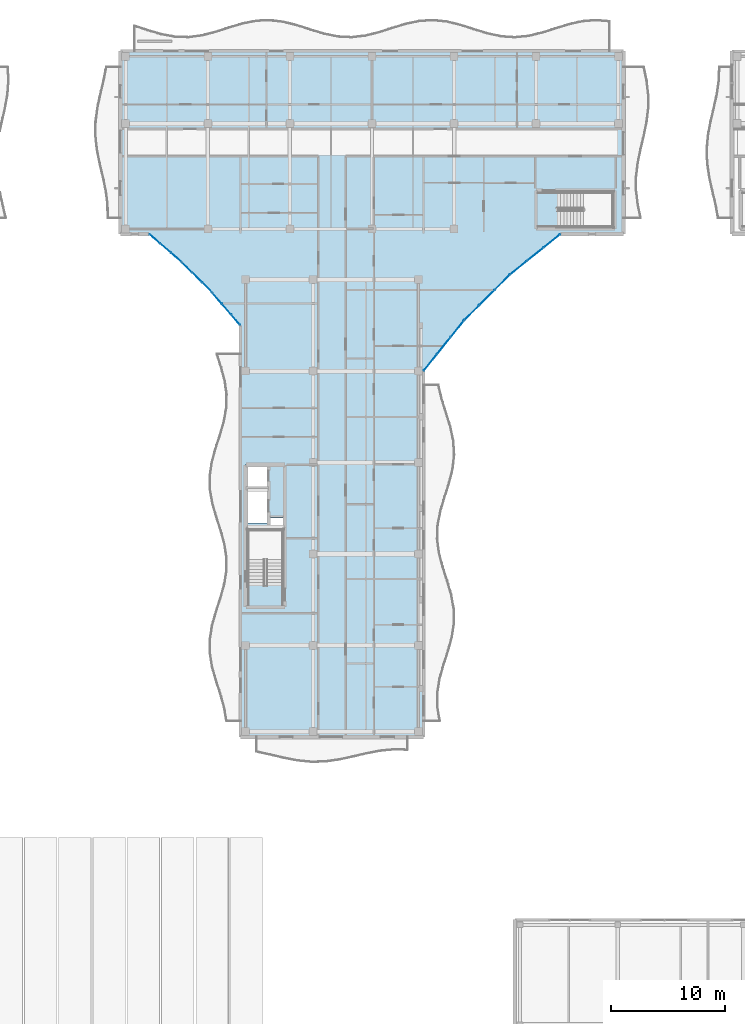
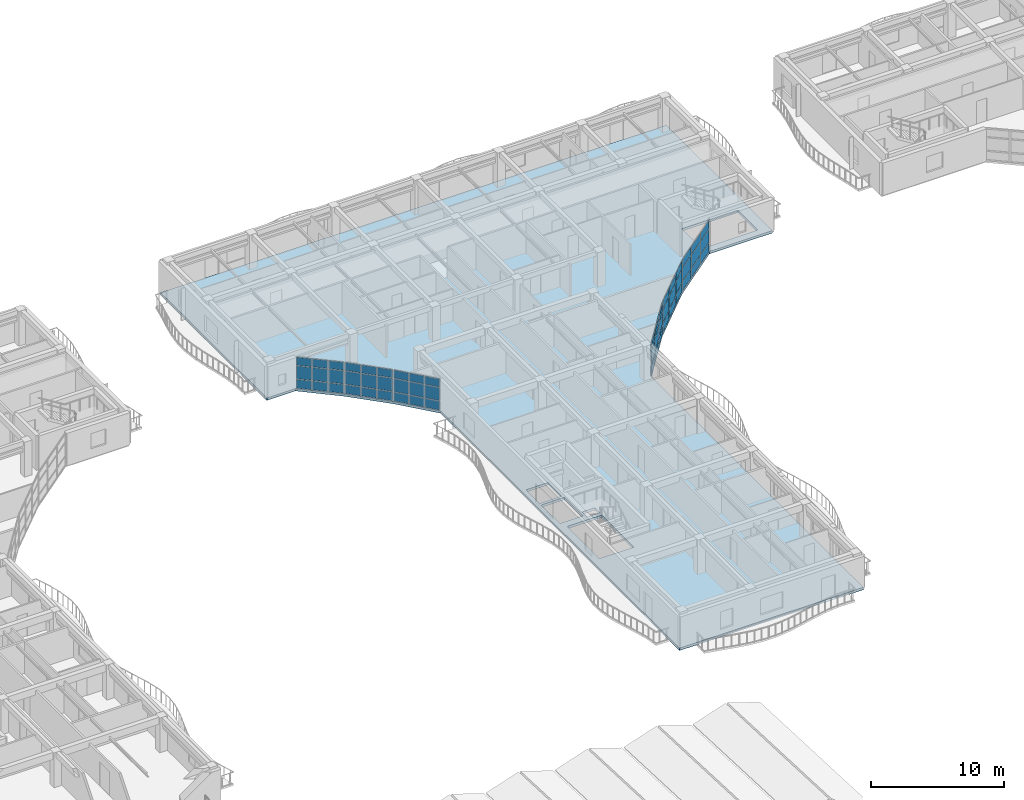
# One storey, part 41 of 89: 54 plates, 1 slab, 6 elements without a shape of their own.
"""IFC4 building model written with IfcOpenShell, lengths in metres."""

from ifc_helpers import new_model, si_unit, direction, frame, origin, origin_2d, place, context, subcontext, project, spatial, polyline, rectangle, outline, extrude, material, layer, layer_set, type_object, element, aggregate, save


model = new_model("IFC4")

# Units and contexts
model_context = context("Model", 3, precision=1e-05, world=origin(), true_north=direction((0.0, 1.0)))
body_context = subcontext(model_context, "Body", "Model", "MODEL_VIEW")
ifc_project = project(units=[si_unit("LENGTHUNIT", "METRE"), si_unit("AREAUNIT", "SQUARE_METRE"), si_unit("VOLUMEUNIT", "CUBIC_METRE"), si_unit("PLANEANGLEUNIT", "RADIAN"), si_unit("MASSUNIT", "GRAM", prefix="KILO")], contexts=[model_context])

# Site, building, storey
site_placement = place(None, origin())
site = spatial("IfcSite", under=ifc_project, at=site_placement, CompositionType="ELEMENT")
building_placement = place(site_placement, origin())
building = spatial("IfcBuilding", under=site, at=building_placement, Name="Keldmere Railside Commons", CompositionType="ELEMENT")
storey_placement = place(building_placement, frame((0.0, 0.0, 7.360107421875)))
storey = spatial("IfcBuildingStorey", under=building, at=storey_placement, Name="L02", CompositionType="ELEMENT", Elevation=7.360107421875)

# Curtain wall, plates
ifc_material_1 = material(Name="Thermally Broken Aluminium", Category="aluminium")
ifc_layer_1 = layer(ifc_material_1, 0.159912109375, Name="Court Chord Wintergarden CW 4800x2850")
ifc_layer_set_1 = layer_set([ifc_layer_1], Name="Thermally Broken Aluminium")
curtain_wall_type_1 = type_object("IfcCurtainWallType", Name="Court Chord Wintergarden CW 4800x2850", PredefinedType="NOTDEFINED", material=ifc_layer_set_1)
curtain_wall_1_placement = place(storey_placement, origin())
curtain_wall_1 = element("IfcCurtainWall", 1, at=curtain_wall_1_placement, inside=storey, type_object=curtain_wall_type_1, Name="CW-12 CW-L02-097", PredefinedType="NOTDEFINED")
ifc_material_2 = material(Name="Low-E Insulated Double Glazing", Category="glass")
ifc_layer_2 = layer(ifc_material_2, 0.033935546875, Name="Acoustic Laminated Vision Panel 34")
ifc_layer_set_2 = layer_set([ifc_layer_2], Name="Low-E Insulated Double Glazing")
plate_type_1 = type_object("IfcPlateType", Name="Acoustic Laminated Vision Panel 34", PredefinedType="CURTAIN_PANEL", material=ifc_layer_set_2)
plate_1_placement = place(storey_placement, frame((122.951416015625, 91.678955078125, 0.06494140625), z_axis=(0.0, 0.0, 1.0), x_axis=(-0.625768080915, -0.780009172323, 0.0)))
plate_1 = element("IfcPlate", 2, at=plate_1_placement, type_object=plate_type_1, Name="CW-12 panel 1.1", PredefinedType="CURTAIN_PANEL", context=body_context, shape_type="SweptSolid", body=[
    extrude(rectangle(XDim=1.795654296875, YDim=0.033935546875, at=origin_2d()), origin(), (0.0, 0.0, 1.0), 0.802490234375),
])
plate_2_placement = place(storey_placement, frame((122.951416015625, 91.678955078125, 0.932373046875), z_axis=(0.0, 0.0, 1.0), x_axis=(-0.625768080915, -0.780009172323, 0.0)))
plate_2 = element("IfcPlate", 3, at=plate_2_placement, type_object=plate_type_1, Name="CW-12 panel 1.2", PredefinedType="CURTAIN_PANEL", context=body_context, shape_type="SweptSolid", body=[
    extrude(rectangle(XDim=1.795654296875, YDim=0.033935546875, at=origin_2d()), origin(), (0.0, 0.0, 1.0), 1.18505859375),
])
plate_3_placement = place(storey_placement, frame((122.951416015625, 91.678955078125, 2.182373046875), z_axis=(0.0, 0.0, 1.0), x_axis=(-0.625768080915, -0.780009172323, 0.0)))
plate_3 = element("IfcPlate", 4, at=plate_3_placement, type_object=plate_type_1, Name="CW-12 panel 1.3", PredefinedType="CURTAIN_PANEL", context=body_context, shape_type="SweptSolid", body=[
    extrude(rectangle(XDim=1.795654296875, YDim=0.033935546875, at=origin_2d()), origin(), (0.0, 0.0, 1.0), 0.732421875),
])
plate_4_placement = place(storey_placement, frame((121.777099609375, 90.215087890625, 0.06494140625), z_axis=(0.0, 0.0, 1.0), x_axis=(-0.625768080915, -0.780009172323, 0.0)))
plate_4 = element("IfcPlate", 5, at=plate_4_placement, type_object=plate_type_1, Name="CW-12 panel 2.1", PredefinedType="CURTAIN_PANEL", context=body_context, shape_type="SweptSolid", body=[
    extrude(rectangle(XDim=1.828125, YDim=0.033935546875, at=origin_2d()), origin(), (0.0, 0.0, 1.0), 0.802490234375),
])
plate_5_placement = place(storey_placement, frame((121.777099609375, 90.215087890625, 0.932373046875), z_axis=(0.0, 0.0, 1.0), x_axis=(-0.625768080915, -0.780009172323, 0.0)))
plate_5 = element("IfcPlate", 6, at=plate_5_placement, type_object=plate_type_1, Name="CW-12 panel 2.2", PredefinedType="CURTAIN_PANEL", context=body_context, shape_type="SweptSolid", body=[
    extrude(rectangle(XDim=1.828125, YDim=0.033935546875, at=origin_2d()), origin(), (0.0, 0.0, 1.0), 1.18505859375),
])
plate_6_placement = place(storey_placement, frame((121.777099609375, 90.215087890625, 2.182373046875), z_axis=(0.0, 0.0, 1.0), x_axis=(-0.625768080915, -0.780009172323, 0.0)))
plate_6 = element("IfcPlate", 7, at=plate_6_placement, type_object=plate_type_1, Name="CW-12 panel 2.3", PredefinedType="CURTAIN_PANEL", context=body_context, shape_type="SweptSolid", body=[
    extrude(rectangle(XDim=1.828125, YDim=0.033935546875, at=origin_2d()), origin(), (0.0, 0.0, 1.0), 0.732421875),
])
plate_7_placement = place(storey_placement, frame((120.6025390625, 88.7509765625, 0.06494140625), z_axis=(0.0, 0.0, 1.0), x_axis=(-0.625768080915, -0.780009172323, 0.0)))
plate_7 = element("IfcPlate", 8, at=plate_7_placement, type_object=plate_type_1, Name="CW-12 panel 3.1", PredefinedType="CURTAIN_PANEL", context=body_context, shape_type="SweptSolid", body=[
    extrude(rectangle(XDim=1.795654296875, YDim=0.033935546875, at=origin_2d()), origin(), (0.0, 0.0, 1.0), 0.802490234375),
])
plate_8_placement = place(storey_placement, frame((120.6025390625, 88.7509765625, 0.932373046875), z_axis=(0.0, 0.0, 1.0), x_axis=(-0.625768080915, -0.780009172323, 0.0)))
plate_8 = element("IfcPlate", 9, at=plate_8_placement, type_object=plate_type_1, Name="CW-12 panel 3.2", PredefinedType="CURTAIN_PANEL", context=body_context, shape_type="SweptSolid", body=[
    extrude(rectangle(XDim=1.795654296875, YDim=0.033935546875, at=origin_2d()), origin(), (0.0, 0.0, 1.0), 1.18505859375),
])
plate_9_placement = place(storey_placement, frame((120.6025390625, 88.7509765625, 2.182373046875), z_axis=(0.0, 0.0, 1.0), x_axis=(-0.625768080915, -0.780009172323, 0.0)))
plate_9 = element("IfcPlate", 10, at=plate_9_placement, type_object=plate_type_1, Name="CW-12 panel 3.3", PredefinedType="CURTAIN_PANEL", context=body_context, shape_type="SweptSolid", body=[
    extrude(rectangle(XDim=1.795654296875, YDim=0.033935546875, at=origin_2d()), origin(), (0.0, 0.0, 1.0), 0.732421875),
])
aggregate(curtain_wall_1, [plate_1, plate_2, plate_3, plate_4, plate_5, plate_6, plate_7, plate_8, plate_9])

curtain_wall_2_placement = place(storey_placement, origin())
curtain_wall_2 = element("IfcCurtainWall", 11, at=curtain_wall_2_placement, inside=storey, type_object=curtain_wall_type_1, Name="CW-12 CW-L02-100", PredefinedType="NOTDEFINED")
plate_10_placement = place(storey_placement, frame((98.369384765625, 97.952392578125, 0.06494140625), z_axis=(0.0, 0.0, 1.0), x_axis=(-0.756596767584, 0.653881741053, 0.0)))
plate_10 = element("IfcPlate", 12, at=plate_10_placement, type_object=plate_type_1, Name="CW-12 panel 1.1", PredefinedType="CURTAIN_PANEL", context=body_context, shape_type="SweptSolid", body=[
    extrude(rectangle(XDim=1.16162109375, YDim=0.033935546875, at=origin_2d()), origin(), (0.0, 0.0, 1.0), 0.802490234375),
])
plate_11_placement = place(storey_placement, frame((98.369384765625, 97.952392578125, 0.932373046875), z_axis=(0.0, 0.0, 1.0), x_axis=(-0.756596767584, 0.653881741053, 0.0)))
plate_11 = element("IfcPlate", 13, at=plate_11_placement, type_object=plate_type_1, Name="CW-12 panel 1.2", PredefinedType="CURTAIN_PANEL", context=body_context, shape_type="SweptSolid", body=[
    extrude(rectangle(XDim=1.16162109375, YDim=0.033935546875, at=origin_2d()), origin(), (0.0, 0.0, 1.0), 1.18505859375),
])
plate_12_placement = place(storey_placement, frame((98.369384765625, 97.952392578125, 2.182373046875), z_axis=(0.0, 0.0, 1.0), x_axis=(-0.756596767584, 0.653881741053, 0.0)))
plate_12 = element("IfcPlate", 14, at=plate_12_placement, type_object=plate_type_1, Name="CW-12 panel 1.3", PredefinedType="CURTAIN_PANEL", context=body_context, shape_type="SweptSolid", body=[
    extrude(rectangle(XDim=1.16162109375, YDim=0.033935546875, at=origin_2d()), origin(), (0.0, 0.0, 1.0), 0.732421875),
])
plate_13_placement = place(storey_placement, frame((97.428955078125, 98.764892578125, 0.06494140625), z_axis=(0.0, 0.0, 1.0), x_axis=(-0.756596767584, 0.653881741053, 0.0)))
plate_13 = element("IfcPlate", 15, at=plate_13_placement, type_object=plate_type_1, Name="CW-12 panel 2.1", PredefinedType="CURTAIN_PANEL", context=body_context, shape_type="SweptSolid", body=[
    extrude(rectangle(XDim=1.194091796875, YDim=0.033935546875, at=origin_2d()), origin(), (0.0, 0.0, 1.0), 0.802490234375),
])
plate_14_placement = place(storey_placement, frame((97.428955078125, 98.764892578125, 0.932373046875), z_axis=(0.0, 0.0, 1.0), x_axis=(-0.756596767584, 0.653881741053, 0.0)))
plate_14 = element("IfcPlate", 16, at=plate_14_placement, type_object=plate_type_1, Name="CW-12 panel 2.2", PredefinedType="CURTAIN_PANEL", context=body_context, shape_type="SweptSolid", body=[
    extrude(rectangle(XDim=1.194091796875, YDim=0.033935546875, at=origin_2d()), origin(), (0.0, 0.0, 1.0), 1.18505859375),
])
plate_15_placement = place(storey_placement, frame((97.428955078125, 98.764892578125, 2.182373046875), z_axis=(0.0, 0.0, 1.0), x_axis=(-0.756596767584, 0.653881741053, 0.0)))
plate_15 = element("IfcPlate", 17, at=plate_15_placement, type_object=plate_type_1, Name="CW-12 panel 2.3", PredefinedType="CURTAIN_PANEL", context=body_context, shape_type="SweptSolid", body=[
    extrude(rectangle(XDim=1.194091796875, YDim=0.033935546875, at=origin_2d()), origin(), (0.0, 0.0, 1.0), 0.732421875),
])
plate_16_placement = place(storey_placement, frame((96.488525390625, 99.57763671875, 0.06494140625), z_axis=(0.0, 0.0, 1.0), x_axis=(-0.756596767584, 0.653881741053, 0.0)))
plate_16 = element("IfcPlate", 18, at=plate_16_placement, type_object=plate_type_1, Name="CW-12 panel 3.1", PredefinedType="CURTAIN_PANEL", context=body_context, shape_type="SweptSolid", body=[
    extrude(rectangle(XDim=1.16162109375, YDim=0.033935546875, at=origin_2d()), origin(), (0.0, 0.0, 1.0), 0.802490234375),
])
plate_17_placement = place(storey_placement, frame((96.488525390625, 99.57763671875, 0.932373046875), z_axis=(0.0, 0.0, 1.0), x_axis=(-0.756596767584, 0.653881741053, 0.0)))
plate_17 = element("IfcPlate", 19, at=plate_17_placement, type_object=plate_type_1, Name="CW-12 panel 3.2", PredefinedType="CURTAIN_PANEL", context=body_context, shape_type="SweptSolid", body=[
    extrude(rectangle(XDim=1.16162109375, YDim=0.033935546875, at=origin_2d()), origin(), (0.0, 0.0, 1.0), 1.18505859375),
])
plate_18_placement = place(storey_placement, frame((96.488525390625, 99.57763671875, 2.182373046875), z_axis=(0.0, 0.0, 1.0), x_axis=(-0.756596767584, 0.653881741053, 0.0)))
plate_18 = element("IfcPlate", 20, at=plate_18_placement, type_object=plate_type_1, Name="CW-12 panel 3.3", PredefinedType="CURTAIN_PANEL", context=body_context, shape_type="SweptSolid", body=[
    extrude(rectangle(XDim=1.16162109375, YDim=0.033935546875, at=origin_2d()), origin(), (0.0, 0.0, 1.0), 0.732421875),
])
aggregate(curtain_wall_2, [plate_10, plate_11, plate_12, plate_13, plate_14, plate_15, plate_16, plate_17, plate_18])

ifc_layer_3 = layer(ifc_material_1, 0.159912109375, Name="Court Chord Wintergarden CW 5400x2850")
ifc_layer_set_3 = layer_set([ifc_layer_3], Name="Thermally Broken Aluminium")
curtain_wall_type_2 = type_object("IfcCurtainWallType", Name="Court Chord Wintergarden CW 5400x2850", PredefinedType="NOTDEFINED", material=ifc_layer_set_3)
curtain_wall_3_placement = place(storey_placement, origin())
curtain_wall_3 = element("IfcCurtainWall", 21, at=curtain_wall_3_placement, inside=storey, type_object=curtain_wall_type_2, Name="CW-13 CW-L02-098", PredefinedType="NOTDEFINED")
ifc_layer_4 = layer(ifc_material_2, 0.031982421875, Name="Clerestory Solar-Control Vision Panel 32")
ifc_layer_set_4 = layer_set([ifc_layer_4], Name="Low-E Insulated Double Glazing")
plate_type_2 = type_object("IfcPlateType", Name="Clerestory Solar-Control Vision Panel 32", PredefinedType="CURTAIN_PANEL", material=ifc_layer_set_4)
plate_19_placement = place(storey_placement, frame((126.88916015625, 95.76513671875, 0.06494140625), z_axis=(0.0, 0.0, 1.0), x_axis=(-0.707106781187, -0.707106781187, 0.0)))
plate_19 = element("IfcPlate", 22, at=plate_19_placement, type_object=plate_type_2, Name="CW-13 panel 1.1", PredefinedType="CURTAIN_PANEL", context=body_context, shape_type="SweptSolid", body=[
    extrude(rectangle(XDim=1.795654296875, YDim=0.031982421875, at=origin_2d()), origin(), (0.0, 0.0, 1.0), 0.802490234375),
])
plate_20_placement = place(storey_placement, frame((126.88916015625, 95.76513671875, 0.932373046875), z_axis=(0.0, 0.0, 1.0), x_axis=(-0.707106781187, -0.707106781187, 0.0)))
plate_20 = element("IfcPlate", 23, at=plate_20_placement, type_object=plate_type_2, Name="CW-13 panel 1.2", PredefinedType="CURTAIN_PANEL", context=body_context, shape_type="SweptSolid", body=[
    extrude(rectangle(XDim=1.795654296875, YDim=0.031982421875, at=origin_2d()), origin(), (0.0, 0.0, 1.0), 1.18505859375),
])
plate_21_placement = place(storey_placement, frame((126.88916015625, 95.76513671875, 2.182373046875), z_axis=(0.0, 0.0, 1.0), x_axis=(-0.707106781187, -0.707106781187, 0.0)))
plate_21 = element("IfcPlate", 24, at=plate_21_placement, type_object=plate_type_2, Name="CW-13 panel 1.3", PredefinedType="CURTAIN_PANEL", context=body_context, shape_type="SweptSolid", body=[
    extrude(rectangle(XDim=1.795654296875, YDim=0.031982421875, at=origin_2d()), origin(), (0.0, 0.0, 1.0), 0.732421875),
])
plate_22_placement = place(storey_placement, frame((125.56201171875, 94.43798828125, 0.06494140625), z_axis=(0.0, 0.0, 1.0), x_axis=(-0.707106781187, -0.707106781187, 0.0)))
plate_22 = element("IfcPlate", 25, at=plate_22_placement, type_object=plate_type_2, Name="CW-13 panel 2.1", PredefinedType="CURTAIN_PANEL", context=body_context, shape_type="SweptSolid", body=[
    extrude(rectangle(XDim=1.828125, YDim=0.031982421875, at=origin_2d()), origin(), (0.0, 0.0, 1.0), 0.802490234375),
])
plate_23_placement = place(storey_placement, frame((125.56201171875, 94.43798828125, 0.932373046875), z_axis=(0.0, 0.0, 1.0), x_axis=(-0.707106781187, -0.707106781187, 0.0)))
plate_23 = element("IfcPlate", 26, at=plate_23_placement, type_object=plate_type_2, Name="CW-13 panel 2.2", PredefinedType="CURTAIN_PANEL", context=body_context, shape_type="SweptSolid", body=[
    extrude(rectangle(XDim=1.828125, YDim=0.031982421875, at=origin_2d()), origin(), (0.0, 0.0, 1.0), 1.18505859375),
])
plate_24_placement = place(storey_placement, frame((125.56201171875, 94.43798828125, 2.182373046875), z_axis=(0.0, 0.0, 1.0), x_axis=(-0.707106781187, -0.707106781187, 0.0)))
plate_24 = element("IfcPlate", 27, at=plate_24_placement, type_object=plate_type_2, Name="CW-13 panel 2.3", PredefinedType="CURTAIN_PANEL", context=body_context, shape_type="SweptSolid", body=[
    extrude(rectangle(XDim=1.828125, YDim=0.031982421875, at=origin_2d()), origin(), (0.0, 0.0, 1.0), 0.732421875),
])
plate_25_placement = place(storey_placement, frame((124.23486328125, 93.11083984375, 0.06494140625), z_axis=(0.0, 0.0, 1.0), x_axis=(-0.707106781187, -0.707106781187, 0.0)))
plate_25 = element("IfcPlate", 28, at=plate_25_placement, type_object=plate_type_2, Name="CW-13 panel 3.1", PredefinedType="CURTAIN_PANEL", context=body_context, shape_type="SweptSolid", body=[
    extrude(rectangle(XDim=1.795654296875, YDim=0.031982421875, at=origin_2d()), origin(), (0.0, 0.0, 1.0), 0.802490234375),
])
plate_26_placement = place(storey_placement, frame((124.23486328125, 93.11083984375, 0.932373046875), z_axis=(0.0, 0.0, 1.0), x_axis=(-0.707106781187, -0.707106781187, 0.0)))
plate_26 = element("IfcPlate", 29, at=plate_26_placement, type_object=plate_type_2, Name="CW-13 panel 3.2", PredefinedType="CURTAIN_PANEL", context=body_context, shape_type="SweptSolid", body=[
    extrude(rectangle(XDim=1.795654296875, YDim=0.031982421875, at=origin_2d()), origin(), (0.0, 0.0, 1.0), 1.18505859375),
])
plate_27_placement = place(storey_placement, frame((124.23486328125, 93.11083984375, 2.182373046875), z_axis=(0.0, 0.0, 1.0), x_axis=(-0.707106781187, -0.707106781187, 0.0)))
plate_27 = element("IfcPlate", 30, at=plate_27_placement, type_object=plate_type_2, Name="CW-13 panel 3.3", PredefinedType="CURTAIN_PANEL", context=body_context, shape_type="SweptSolid", body=[
    extrude(rectangle(XDim=1.795654296875, YDim=0.031982421875, at=origin_2d()), origin(), (0.0, 0.0, 1.0), 0.732421875),
])
aggregate(curtain_wall_3, [plate_19, plate_20, plate_21, plate_22, plate_23, plate_24, plate_25, plate_26, plate_27])

curtain_wall_4_placement = place(storey_placement, origin())
curtain_wall_4 = element("IfcCurtainWall", 31, at=curtain_wall_4_placement, inside=storey, type_object=curtain_wall_type_2, Name="CW-13 CW-L02-101", PredefinedType="NOTDEFINED")
plate_28_placement = place(storey_placement, frame((101.0732421875, 95.31494140625, 0.06494140625), z_axis=(0.0, 0.0, 1.0), x_axis=(-0.707106781187, 0.707106781187, 0.0)))
plate_28 = element("IfcPlate", 32, at=plate_28_placement, type_object=plate_type_2, Name="CW-13 panel 1.1", PredefinedType="CURTAIN_PANEL", context=body_context, shape_type="SweptSolid", body=[
    extrude(rectangle(XDim=1.162109375, YDim=0.031982421875, at=origin_2d()), origin(), (0.0, 0.0, 1.0), 0.802490234375),
])
plate_29_placement = place(storey_placement, frame((101.0732421875, 95.31494140625, 0.932373046875), z_axis=(0.0, 0.0, 1.0), x_axis=(-0.707106781187, 0.707106781187, 0.0)))
plate_29 = element("IfcPlate", 33, at=plate_29_placement, type_object=plate_type_2, Name="CW-13 panel 1.2", PredefinedType="CURTAIN_PANEL", context=body_context, shape_type="SweptSolid", body=[
    extrude(rectangle(XDim=1.162109375, YDim=0.031982421875, at=origin_2d()), origin(), (0.0, 0.0, 1.0), 1.18505859375),
])
plate_30_placement = place(storey_placement, frame((101.0732421875, 95.31494140625, 2.182373046875), z_axis=(0.0, 0.0, 1.0), x_axis=(-0.707106781187, 0.707106781187, 0.0)))
plate_30 = element("IfcPlate", 34, at=plate_30_placement, type_object=plate_type_2, Name="CW-13 panel 1.3", PredefinedType="CURTAIN_PANEL", context=body_context, shape_type="SweptSolid", body=[
    extrude(rectangle(XDim=1.162109375, YDim=0.031982421875, at=origin_2d()), origin(), (0.0, 0.0, 1.0), 0.732421875),
])
plate_31_placement = place(storey_placement, frame((100.194091796875, 96.194091796875, 0.06494140625), z_axis=(0.0, 0.0, 1.0), x_axis=(-0.707106781187, 0.707106781187, 0.0)))
plate_31 = element("IfcPlate", 35, at=plate_31_placement, type_object=plate_type_2, Name="CW-13 panel 2.1", PredefinedType="CURTAIN_PANEL", context=body_context, shape_type="SweptSolid", body=[
    extrude(rectangle(XDim=1.194580078125, YDim=0.031982421875, at=origin_2d()), origin(), (0.0, 0.0, 1.0), 0.802490234375),
])
plate_32_placement = place(storey_placement, frame((100.194091796875, 96.194091796875, 0.932373046875), z_axis=(0.0, 0.0, 1.0), x_axis=(-0.707106781187, 0.707106781187, 0.0)))
plate_32 = element("IfcPlate", 36, at=plate_32_placement, type_object=plate_type_2, Name="CW-13 panel 2.2", PredefinedType="CURTAIN_PANEL", context=body_context, shape_type="SweptSolid", body=[
    extrude(rectangle(XDim=1.194580078125, YDim=0.031982421875, at=origin_2d()), origin(), (0.0, 0.0, 1.0), 1.18505859375),
])
plate_33_placement = place(storey_placement, frame((100.194091796875, 96.194091796875, 2.182373046875), z_axis=(0.0, 0.0, 1.0), x_axis=(-0.707106781187, 0.707106781187, 0.0)))
plate_33 = element("IfcPlate", 37, at=plate_33_placement, type_object=plate_type_2, Name="CW-13 panel 2.3", PredefinedType="CURTAIN_PANEL", context=body_context, shape_type="SweptSolid", body=[
    extrude(rectangle(XDim=1.194580078125, YDim=0.031982421875, at=origin_2d()), origin(), (0.0, 0.0, 1.0), 0.732421875),
])
plate_34_placement = place(storey_placement, frame((99.31494140625, 97.0732421875, 0.06494140625), z_axis=(0.0, 0.0, 1.0), x_axis=(-0.707106781187, 0.707106781187, 0.0)))
plate_34 = element("IfcPlate", 38, at=plate_34_placement, type_object=plate_type_2, Name="CW-13 panel 3.1", PredefinedType="CURTAIN_PANEL", context=body_context, shape_type="SweptSolid", body=[
    extrude(rectangle(XDim=1.162109375, YDim=0.031982421875, at=origin_2d()), origin(), (0.0, 0.0, 1.0), 0.802490234375),
])
plate_35_placement = place(storey_placement, frame((99.31494140625, 97.0732421875, 0.932373046875), z_axis=(0.0, 0.0, 1.0), x_axis=(-0.707106781187, 0.707106781187, 0.0)))
plate_35 = element("IfcPlate", 39, at=plate_35_placement, type_object=plate_type_2, Name="CW-13 panel 3.2", PredefinedType="CURTAIN_PANEL", context=body_context, shape_type="SweptSolid", body=[
    extrude(rectangle(XDim=1.162109375, YDim=0.031982421875, at=origin_2d()), origin(), (0.0, 0.0, 1.0), 1.18505859375),
])
plate_36_placement = place(storey_placement, frame((99.31494140625, 97.0732421875, 2.182373046875), z_axis=(0.0, 0.0, 1.0), x_axis=(-0.707106781187, 0.707106781187, 0.0)))
plate_36 = element("IfcPlate", 40, at=plate_36_placement, type_object=plate_type_2, Name="CW-13 panel 3.3", PredefinedType="CURTAIN_PANEL", context=body_context, shape_type="SweptSolid", body=[
    extrude(rectangle(XDim=1.162109375, YDim=0.031982421875, at=origin_2d()), origin(), (0.0, 0.0, 1.0), 0.732421875),
])
aggregate(curtain_wall_4, [plate_28, plate_29, plate_30, plate_31, plate_32, plate_33, plate_34, plate_35, plate_36])

curtain_wall_5_placement = place(storey_placement, origin())
curtain_wall_5 = element("IfcCurtainWall", 41, at=curtain_wall_5_placement, inside=storey, type_object=curtain_wall_type_1, Name="CW-12 CW-L02-099", PredefinedType="NOTDEFINED")
ifc_layer_5 = layer(ifc_material_2, 0.028076171875, Name="Low-E Vision Glazing Panel 28")
ifc_layer_set_5 = layer_set([ifc_layer_5], Name="Low-E Insulated Double Glazing")
plate_type_3 = type_object("IfcPlateType", Name="Low-E Vision Glazing Panel 28", PredefinedType="CURTAIN_PANEL", material=ifc_layer_set_5)
plate_37_placement = place(storey_placement, frame((131.2490234375, 99.3974609375, 0.06494140625), z_axis=(0.0, 0.0, 1.0), x_axis=(-0.780009172323, -0.625768080915, 0.0)))
plate_37 = element("IfcPlate", 42, at=plate_37_placement, type_object=plate_type_3, Name="CW-12 panel 1.1", PredefinedType="CURTAIN_PANEL", context=body_context, shape_type="SweptSolid", body=[
    extrude(rectangle(XDim=1.795654296875, YDim=0.028076171875, at=origin_2d()), origin(), (0.0, 0.0, 1.0), 0.802490234375),
])
plate_38_placement = place(storey_placement, frame((131.2490234375, 99.3974609375, 0.932373046875), z_axis=(0.0, 0.0, 1.0), x_axis=(-0.780009172323, -0.625768080915, 0.0)))
plate_38 = element("IfcPlate", 43, at=plate_38_placement, type_object=plate_type_3, Name="CW-12 panel 1.2", PredefinedType="CURTAIN_PANEL", context=body_context, shape_type="SweptSolid", body=[
    extrude(rectangle(XDim=1.795654296875, YDim=0.028076171875, at=origin_2d()), origin(), (0.0, 0.0, 1.0), 1.18505859375),
])
plate_39_placement = place(storey_placement, frame((131.2490234375, 99.3974609375, 2.182373046875), z_axis=(0.0, 0.0, 1.0), x_axis=(-0.780009172323, -0.625768080915, 0.0)))
plate_39 = element("IfcPlate", 44, at=plate_39_placement, type_object=plate_type_3, Name="CW-12 panel 1.3", PredefinedType="CURTAIN_PANEL", context=body_context, shape_type="SweptSolid", body=[
    extrude(rectangle(XDim=1.795654296875, YDim=0.028076171875, at=origin_2d()), origin(), (0.0, 0.0, 1.0), 0.732421875),
])
plate_40_placement = place(storey_placement, frame((129.784912109375, 98.222900390625, 0.06494140625), z_axis=(0.0, 0.0, 1.0), x_axis=(-0.780009172323, -0.625768080915, 0.0)))
plate_40 = element("IfcPlate", 45, at=plate_40_placement, type_object=plate_type_3, Name="CW-12 panel 2.1", PredefinedType="CURTAIN_PANEL", context=body_context, shape_type="SweptSolid", body=[
    extrude(rectangle(XDim=1.828125, YDim=0.028076171875, at=origin_2d()), origin(), (0.0, 0.0, 1.0), 0.802490234375),
])
plate_41_placement = place(storey_placement, frame((129.784912109375, 98.222900390625, 0.932373046875), z_axis=(0.0, 0.0, 1.0), x_axis=(-0.780009172323, -0.625768080915, 0.0)))
plate_41 = element("IfcPlate", 46, at=plate_41_placement, type_object=plate_type_3, Name="CW-12 panel 2.2", PredefinedType="CURTAIN_PANEL", context=body_context, shape_type="SweptSolid", body=[
    extrude(rectangle(XDim=1.828125, YDim=0.028076171875, at=origin_2d()), origin(), (0.0, 0.0, 1.0), 1.18505859375),
])
plate_42_placement = place(storey_placement, frame((129.784912109375, 98.222900390625, 2.182373046875), z_axis=(0.0, 0.0, 1.0), x_axis=(-0.780009172323, -0.625768080915, 0.0)))
plate_42 = element("IfcPlate", 47, at=plate_42_placement, type_object=plate_type_3, Name="CW-12 panel 2.3", PredefinedType="CURTAIN_PANEL", context=body_context, shape_type="SweptSolid", body=[
    extrude(rectangle(XDim=1.828125, YDim=0.028076171875, at=origin_2d()), origin(), (0.0, 0.0, 1.0), 0.732421875),
])
plate_43_placement = place(storey_placement, frame((128.321044921875, 97.048583984375, 0.06494140625), z_axis=(0.0, 0.0, 1.0), x_axis=(-0.780009172323, -0.625768080915, 0.0)))
plate_43 = element("IfcPlate", 48, at=plate_43_placement, type_object=plate_type_3, Name="CW-12 panel 3.1", PredefinedType="CURTAIN_PANEL", context=body_context, shape_type="SweptSolid", body=[
    extrude(rectangle(XDim=1.795654296875, YDim=0.028076171875, at=origin_2d()), origin(), (0.0, 0.0, 1.0), 0.802490234375),
])
plate_44_placement = place(storey_placement, frame((128.321044921875, 97.048583984375, 0.932373046875), z_axis=(0.0, 0.0, 1.0), x_axis=(-0.780009172323, -0.625768080915, 0.0)))
plate_44 = element("IfcPlate", 49, at=plate_44_placement, type_object=plate_type_3, Name="CW-12 panel 3.2", PredefinedType="CURTAIN_PANEL", context=body_context, shape_type="SweptSolid", body=[
    extrude(rectangle(XDim=1.795654296875, YDim=0.028076171875, at=origin_2d()), origin(), (0.0, 0.0, 1.0), 1.18505859375),
])
plate_45_placement = place(storey_placement, frame((128.321044921875, 97.048583984375, 2.182373046875), z_axis=(0.0, 0.0, 1.0), x_axis=(-0.780009172323, -0.625768080915, 0.0)))
plate_45 = element("IfcPlate", 50, at=plate_45_placement, type_object=plate_type_3, Name="CW-12 panel 3.3", PredefinedType="CURTAIN_PANEL", context=body_context, shape_type="SweptSolid", body=[
    extrude(rectangle(XDim=1.795654296875, YDim=0.028076171875, at=origin_2d()), origin(), (0.0, 0.0, 1.0), 0.732421875),
])
aggregate(curtain_wall_5, [plate_37, plate_38, plate_39, plate_40, plate_41, plate_42, plate_43, plate_44, plate_45])

curtain_wall_6_placement = place(storey_placement, origin())
curtain_wall_6 = element("IfcCurtainWall", 51, at=curtain_wall_6_placement, inside=storey, type_object=curtain_wall_type_1, Name="CW-12 CW-L02-102", PredefinedType="NOTDEFINED")
plate_46_placement = place(storey_placement, frame((103.57763671875, 92.488525390625, 0.06494140625), z_axis=(0.0, 0.0, 1.0), x_axis=(-0.653881741053, 0.756596767584, 0.0)))
plate_46 = element("IfcPlate", 52, at=plate_46_placement, type_object=plate_type_3, Name="CW-12 panel 1.1", PredefinedType="CURTAIN_PANEL", context=body_context, shape_type="SweptSolid", body=[
    extrude(rectangle(XDim=1.16162109375, YDim=0.028076171875, at=origin_2d()), origin(), (0.0, 0.0, 1.0), 0.802490234375),
])
plate_47_placement = place(storey_placement, frame((103.57763671875, 92.488525390625, 0.932373046875), z_axis=(0.0, 0.0, 1.0), x_axis=(-0.653881741053, 0.756596767584, 0.0)))
plate_47 = element("IfcPlate", 53, at=plate_47_placement, type_object=plate_type_3, Name="CW-12 panel 1.2", PredefinedType="CURTAIN_PANEL", context=body_context, shape_type="SweptSolid", body=[
    extrude(rectangle(XDim=1.16162109375, YDim=0.028076171875, at=origin_2d()), origin(), (0.0, 0.0, 1.0), 1.18505859375),
])
plate_48_placement = place(storey_placement, frame((103.57763671875, 92.488525390625, 2.182373046875), z_axis=(0.0, 0.0, 1.0), x_axis=(-0.653881741053, 0.756596767584, 0.0)))
plate_48 = element("IfcPlate", 54, at=plate_48_placement, type_object=plate_type_3, Name="CW-12 panel 1.3", PredefinedType="CURTAIN_PANEL", context=body_context, shape_type="SweptSolid", body=[
    extrude(rectangle(XDim=1.16162109375, YDim=0.028076171875, at=origin_2d()), origin(), (0.0, 0.0, 1.0), 0.732421875),
])
plate_49_placement = place(storey_placement, frame((102.764892578125, 93.428955078125, 0.06494140625), z_axis=(0.0, 0.0, 1.0), x_axis=(-0.653881741053, 0.756596767584, 0.0)))
plate_49 = element("IfcPlate", 55, at=plate_49_placement, type_object=plate_type_3, Name="CW-12 panel 2.1", PredefinedType="CURTAIN_PANEL", context=body_context, shape_type="SweptSolid", body=[
    extrude(rectangle(XDim=1.194091796875, YDim=0.028076171875, at=origin_2d()), origin(), (0.0, 0.0, 1.0), 0.802490234375),
])
plate_50_placement = place(storey_placement, frame((102.764892578125, 93.428955078125, 0.932373046875), z_axis=(0.0, 0.0, 1.0), x_axis=(-0.653881741053, 0.756596767584, 0.0)))
plate_50 = element("IfcPlate", 56, at=plate_50_placement, type_object=plate_type_3, Name="CW-12 panel 2.2", PredefinedType="CURTAIN_PANEL", context=body_context, shape_type="SweptSolid", body=[
    extrude(rectangle(XDim=1.194091796875, YDim=0.028076171875, at=origin_2d()), origin(), (0.0, 0.0, 1.0), 1.18505859375),
])
plate_51_placement = place(storey_placement, frame((102.764892578125, 93.428955078125, 2.182373046875), z_axis=(0.0, 0.0, 1.0), x_axis=(-0.653881741053, 0.756596767584, 0.0)))
plate_51 = element("IfcPlate", 57, at=plate_51_placement, type_object=plate_type_3, Name="CW-12 panel 2.3", PredefinedType="CURTAIN_PANEL", context=body_context, shape_type="SweptSolid", body=[
    extrude(rectangle(XDim=1.194091796875, YDim=0.028076171875, at=origin_2d()), origin(), (0.0, 0.0, 1.0), 0.732421875),
])
plate_52_placement = place(storey_placement, frame((101.952392578125, 94.369384765625, 0.06494140625), z_axis=(0.0, 0.0, 1.0), x_axis=(-0.653881741053, 0.756596767584, 0.0)))
plate_52 = element("IfcPlate", 58, at=plate_52_placement, type_object=plate_type_3, Name="CW-12 panel 3.1", PredefinedType="CURTAIN_PANEL", context=body_context, shape_type="SweptSolid", body=[
    extrude(rectangle(XDim=1.16162109375, YDim=0.028076171875, at=origin_2d()), origin(), (0.0, 0.0, 1.0), 0.802490234375),
])
plate_53_placement = place(storey_placement, frame((101.952392578125, 94.369384765625, 0.932373046875), z_axis=(0.0, 0.0, 1.0), x_axis=(-0.653881741053, 0.756596767584, 0.0)))
plate_53 = element("IfcPlate", 59, at=plate_53_placement, type_object=plate_type_3, Name="CW-12 panel 3.2", PredefinedType="CURTAIN_PANEL", context=body_context, shape_type="SweptSolid", body=[
    extrude(rectangle(XDim=1.16162109375, YDim=0.028076171875, at=origin_2d()), origin(), (0.0, 0.0, 1.0), 1.18505859375),
])
plate_54_placement = place(storey_placement, frame((101.952392578125, 94.369384765625, 2.182373046875), z_axis=(0.0, 0.0, 1.0), x_axis=(-0.653881741053, 0.756596767584, 0.0)))
plate_54 = element("IfcPlate", 60, at=plate_54_placement, type_object=plate_type_3, Name="CW-12 panel 3.3", PredefinedType="CURTAIN_PANEL", context=body_context, shape_type="SweptSolid", body=[
    extrude(rectangle(XDim=1.16162109375, YDim=0.028076171875, at=origin_2d()), origin(), (0.0, 0.0, 1.0), 0.732421875),
])
aggregate(curtain_wall_6, [plate_46, plate_47, plate_48, plate_49, plate_50, plate_51, plate_52, plate_53, plate_54])

# Slab
ifc_material_3 = material(Name="Concrete H-30 (C30/37)", Category="concrete")
ifc_layer_6 = layer(ifc_material_3, 0.219970703125, Name="Residential Flat Slab 220")
ifc_layer_set_6 = layer_set([ifc_layer_6], Name="Concrete H-30 (C30/37)")
slab_type = type_object("IfcSlabType", Name="Residential Flat Slab 220", PredefinedType="FLOOR", material=ifc_layer_set_6)
slab_placement = place(storey_placement, frame((0.0, 0.0, -0.22021484375)))
element("IfcSlab", 61, at=slab_placement, inside=storey, type_object=slab_type, Name="FS-2 BLKB-L02-037", PredefinedType="FLOOR", context=body_context, shape_type="SweptSolid", body=[
    extrude(outline(polyline([(104.0, 56.0), (120.0, 56.0), (120.0, 88.0), (123.553955078125, 92.429931640625), (127.570068359375, 96.446044921875), (132.0, 100.0), (137.5, 100.0), (137.5, 116.0), (93.5, 116.0), (93.5, 100.0), (96.0, 100.0), (98.85791015625, 97.530029296875), (101.530029296875, 94.85791015625), (104.0, 92.0), (104.0, 56.0)]), holes=[polyline([(104.39990234375, 74.699951171875), (104.39990234375, 77.5), (106.39990234375, 77.5), (106.39990234375, 74.699951171875), (104.39990234375, 74.699951171875)]), polyline([(104.39990234375, 77.75), (104.39990234375, 79.800048828125), (106.300048828125, 79.800048828125), (106.300048828125, 77.75), (104.39990234375, 77.75)]), polyline([(104.675048828125, 69.22509765625), (104.675048828125, 74.074951171875), (107.675048828125, 74.074951171875), (107.675048828125, 69.22509765625), (104.675048828125, 69.22509765625)]), polyline([(107.699951171875, 74.419921875), (106.60009765625, 74.419921875), (106.60009765625, 75.159912109375), (107.699951171875, 75.159912109375), (107.699951171875, 74.419921875)]), polyline([(131.72509765625, 103.625), (136.574951171875, 103.625), (136.574951171875, 100.625), (131.72509765625, 100.625), (131.72509765625, 103.625)])]), origin(), (0.0, 0.0, 1.0), 0.22021484375),
])

save(model, "model.ifc")
